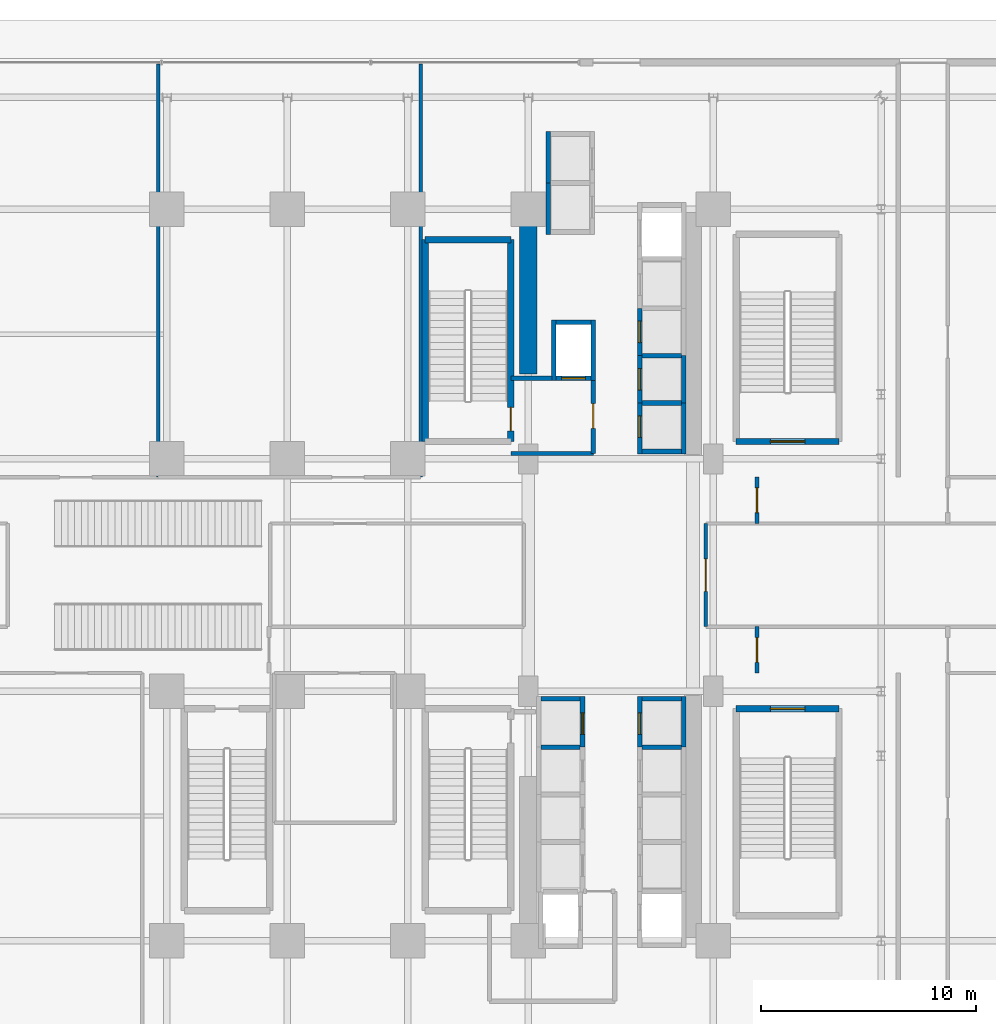
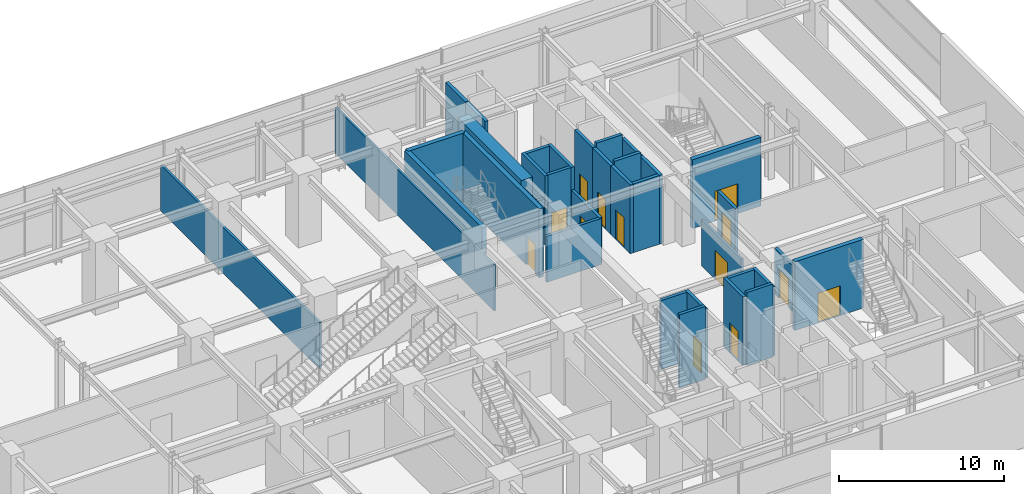
# One storey, part 24 of 29: 35 walls, 13 doors, 13 openings.
"""IFC4 building model written with IfcOpenShell, lengths in metres."""

from ifc_helpers import new_model, si_unit, direction, frame, frame_2d, origin, place, context, subcontext, project, spatial, rectangle, extrude, source, transform, mapped, material, layer, layer_set, type_object, element, fill, save


model = new_model("IFC4")

# Units and contexts
model_context = context("Model", 3, precision=1e-05, world=origin(), true_north=direction((0.0, 1.0)))
body_context = subcontext(model_context, "Body", "Model", "MODEL_VIEW")
ifc_project = project(units=[si_unit("LENGTHUNIT", "METRE"), si_unit("AREAUNIT", "SQUARE_METRE"), si_unit("VOLUMEUNIT", "CUBIC_METRE"), si_unit("PLANEANGLEUNIT", "RADIAN"), si_unit("MASSUNIT", "GRAM", prefix="KILO")], contexts=[model_context])

# Site, building, storey
site_placement = place(None, origin())
site = spatial("IfcSite", under=ifc_project, at=site_placement, CompositionType="ELEMENT")
building_placement = place(site_placement, origin())
building = spatial("IfcBuilding", under=site, at=building_placement, Name="Nahalor Promenade Grand Hotel", CompositionType="ELEMENT")
storey_placement = place(building_placement, origin())
storey = spatial("IfcBuildingStorey", under=building, at=storey_placement, Name="L00", CompositionType="ELEMENT", Elevation=0.0)

# Walls
ifc_material_1 = material(Name="Concrete B-70 (C60/75)", Category="concrete")
ifc_layer_1 = layer(ifc_material_1, 0.800048828125)
ifc_layer_set_1 = layer_set([ifc_layer_1], Name="Concrete B-70 (C60/75)")
wall_type_1 = type_object("IfcWallType", Name="Wall-CoreShear-800", PredefinedType="SHEAR", material=ifc_layer_set_1)
shared_shape_1 = source(origin(), body_context, "Body", "SweptSolid", [
    extrude(rectangle(XDim=7.64990234375, YDim=0.800048828125, at=frame_2d((3.824951171875, 0.0))), origin(), (0.0, 0.0, 1.0), 5.080078125),
])
wall_1_placement = place(storey_placement, frame((8.39990234375, 9.35009765625, 0.0), z_axis=(0.0, 0.0, 1.0), x_axis=(0.0, 1.0, 0.0)))
element("IfcWall", 1, at=wall_1_placement, inside=storey, type_object=wall_type_1, Name="CWALL-L00-NW", PredefinedType="SHEAR", context=body_context, shape_type="MappedRepresentation", body=[
    mapped(shared_shape_1, transform((0.0, 0.0, 0.0), scale=1.0)),
])
ifc_material_2 = material(Name="Concrete B-50 (C40/50)", Category="concrete")
ifc_layer_2 = layer(ifc_material_2, 0.300048828125)
ifc_layer_set_2 = layer_set([ifc_layer_2], Name="Concrete B-50 (C40/50)")
wall_type_2 = type_object("IfcWallType", Name="Wall-ShaftShear-300", PredefinedType="SHEAR", material=ifc_layer_set_2)
shared_shape_2 = source(origin(), body_context, "Body", "SweptSolid", [
    extrude(rectangle(XDim=3.97998046875, YDim=0.300048828125, at=frame_2d((1.989990234375, 0.0))), origin(), (0.0, 0.0, 1.0), 5.080078125),
])
wall_2_placement = place(storey_placement, frame((3.610107421875, 15.590087890625, 0.0), z_axis=(0.0, 0.0, 1.0), x_axis=(1.0, 0.0, 0.0)))
element("IfcWall", 2, at=wall_2_placement, inside=storey, type_object=wall_type_2, Name="L00 Exit Stair ST1 Shaft Wall N", PredefinedType="SHEAR", context=body_context, shape_type="MappedRepresentation", body=[
    mapped(shared_shape_2, transform((0.0, 0.0, 0.0), scale=1.0)),
])
shared_shape_3 = source(origin(), body_context, "Body", "SweptSolid", [
    extrude(rectangle(XDim=9.380126953125, YDim=0.300048828125, at=frame_2d((4.68994140625, 0.0))), origin(), (0.0, 0.0, 1.0), 5.080078125),
])
wall_3_placement = place(storey_placement, frame((3.610107421875, 6.2099609375, 0.0), z_axis=(0.0, 0.0, 1.0), x_axis=(0.0, 1.0, 0.0)))
element("IfcWall", 3, at=wall_3_placement, inside=storey, type_object=wall_type_2, Name="L00 Exit Stair ST1 Shaft Wall W", PredefinedType="SHEAR", context=body_context, shape_type="MappedRepresentation", body=[
    mapped(shared_shape_3, transform((0.0, 0.0, 0.0), scale=1.0)),
])

# Wall, opening, door
wall_4_placement = place(storey_placement, frame((7.590087890625, 6.2099609375, 0.0), z_axis=(0.0, 0.0, 1.0), x_axis=(0.0, 1.0, 0.0)))
wall_4 = element("IfcWall", 4, at=wall_4_placement, inside=storey, type_object=wall_type_2, Name="L00 Exit Stair ST1 Shaft Wall E", PredefinedType="SHEAR", context=body_context, shape_type="MappedRepresentation", body=[
    mapped(shared_shape_3, transform((0.0, 0.0, 0.0), scale=1.0)),
])
opening_1_placement = place(wall_4_placement, frame((0.489990234375, 0.0, 0.0)))
opening_1 = element("IfcOpeningElement", 5, at=opening_1_placement, cuts=wall_4, Name="Opening D-ST1", PredefinedType="OPENING", context=body_context, shape_type="SweptSolid", body=[
    extrude(rectangle(XDim=1.10009765625, YDim=2.14990234375, at=frame_2d((0.550048828125, 1.074951171875))), frame((0.0, 0.159912109375, 0.0), z_axis=(0.0, -1.0, 0.0), x_axis=(1.0, 0.0, 0.0)), (0.0, 0.0, 1.0), 0.320068359375),
])
ifc_material_3 = material(Name="Steel S355JR", Category="steel")
door_type_1 = type_object("IfcDoorType", Name="Door-StairFire-1100", OperationType="NOTDEFINED", PredefinedType="DOOR", material=ifc_material_3)
shared_shape_4 = source(origin(), body_context, "Body", "SweptSolid", [
    extrude(rectangle(XDim=1.10009765625, YDim=2.14990234375, at=frame_2d((0.550048828125, 1.074951171875))), frame((0.0, 0.02490234375, 0.0), z_axis=(0.0, -1.0, 0.0), x_axis=(1.0, 0.0, 0.0)), (0.0, 0.0, 1.0), 0.050048828125),
])
door_1_placement = place(opening_1_placement, frame((1.10009765625, 0.0, 0.0), z_axis=(0.0, 0.0, 1.0), x_axis=(-1.0, 0.0, 0.0)))
door_1 = element("IfcDoor", 6, at=door_1_placement, inside=storey, type_object=door_type_1, Name="DR-STAIR-ST1-L00", OperationType="SINGLE_SWING_LEFT", OverallHeight=2.14990234375, OverallWidth=1.10009765625, PredefinedType="DOOR", context=body_context, shape_type="MappedRepresentation", body=[
    mapped(shared_shape_4, transform((0.0, 0.0, 0.0), scale=1.0)),
])
fill(opening_1, door_1)

shared_shape_5 = source(origin(), body_context, "Body", "SweptSolid", [
    extrude(rectangle(XDim=4.780029296875, YDim=0.300048828125, at=frame_2d((2.39013671875, 0.0))), origin(), (0.0, 0.0, 1.0), 5.080078125),
])
wall_5_placement = place(storey_placement, frame((18.06005859375, 6.2099609375, 0.0), z_axis=(0.0, 0.0, 1.0), x_axis=(1.0, 0.0, 0.0)))
wall_5 = element("IfcWall", 7, at=wall_5_placement, inside=storey, type_object=wall_type_2, Name="L00 Exit Stair ST4 Shaft Wall S", PredefinedType="SHEAR", context=body_context, shape_type="MappedRepresentation", body=[
    mapped(shared_shape_5, transform((0.0, 0.0, 0.0), scale=1.0)),
])
opening_2_placement = place(wall_5_placement, frame((1.590087890625, 0.0, 0.0)))
opening_2 = element("IfcOpeningElement", 8, at=opening_2_placement, cuts=wall_5, Name="Opening D-ST2", PredefinedType="OPENING", context=body_context, shape_type="SweptSolid", body=[
    extrude(rectangle(XDim=1.60009765625, YDim=2.199951171875, at=frame_2d((0.800048828125, 1.10009765625))), frame((0.0, 0.159912109375, 0.0), z_axis=(0.0, -1.0, 0.0), x_axis=(1.0, 0.0, 0.0)), (0.0, 0.0, 1.0), 0.320068359375),
])
door_type_2 = type_object("IfcDoorType", Name="Door-StairGrand-1600", OperationType="DOUBLE_DOOR_SINGLE_SWING", PredefinedType="DOOR", material=ifc_material_3)
shared_shape_6 = source(origin(), body_context, "Body", "SweptSolid", [
    extrude(rectangle(XDim=1.60009765625, YDim=2.199951171875, at=frame_2d((0.800048828125, 1.10009765625))), frame((0.0, 0.02490234375, 0.0), z_axis=(0.0, -1.0, 0.0), x_axis=(1.0, 0.0, 0.0)), (0.0, 0.0, 1.0), 0.050048828125),
])
door_2_placement = place(opening_2_placement, frame((1.60009765625, 0.0, 0.0), z_axis=(0.0, 0.0, 1.0), x_axis=(-1.0, 0.0, 0.0)))
door_2 = element("IfcDoor", 9, at=door_2_placement, inside=storey, type_object=door_type_2, Name="DR-STAIR-ST4-L00", OperationType="DOUBLE_DOOR_SINGLE_SWING", OverallHeight=2.199951171875, OverallWidth=1.60009765625, PredefinedType="DOOR", context=body_context, shape_type="MappedRepresentation", body=[
    mapped(shared_shape_6, transform((0.0, 0.0, 0.0), scale=1.0)),
])
fill(opening_2, door_2)

wall_6_placement = place(storey_placement, frame((18.06005859375, -6.2099609375, 0.0), z_axis=(0.0, 0.0, 1.0), x_axis=(1.0, 0.0, 0.0)))
wall_6 = element("IfcWall", 10, at=wall_6_placement, inside=storey, type_object=wall_type_2, Name="L00 Exit Stair ST5 Shaft Wall N", PredefinedType="SHEAR", context=body_context, shape_type="MappedRepresentation", body=[
    mapped(shared_shape_5, transform((0.0, 0.0, 0.0), scale=1.0)),
])
opening_3_placement = place(wall_6_placement, frame((1.590087890625, 0.0, 0.0)))
opening_3 = element("IfcOpeningElement", 11, at=opening_3_placement, cuts=wall_6, Name="Opening D-ST2", PredefinedType="OPENING", context=body_context, shape_type="SweptSolid", body=[
    extrude(rectangle(XDim=1.60009765625, YDim=2.199951171875, at=frame_2d((0.800048828125, 1.10009765625))), frame((0.0, 0.159912109375, 0.0), z_axis=(0.0, -1.0, 0.0), x_axis=(1.0, 0.0, 0.0)), (0.0, 0.0, 1.0), 0.320068359375),
])
door_3_placement = place(opening_3_placement, origin())
door_3 = element("IfcDoor", 12, at=door_3_placement, inside=storey, type_object=door_type_2, Name="DR-STAIR-ST5-L00", OperationType="DOUBLE_DOOR_SINGLE_SWING", OverallHeight=2.199951171875, OverallWidth=1.60009765625, PredefinedType="DOOR", context=body_context, shape_type="MappedRepresentation", body=[
    mapped(shared_shape_6, transform((0.0, 0.0, 0.0), scale=1.0)),
])
fill(opening_3, door_3)

ifc_layer_3 = layer(ifc_material_2, 0.219970703125)
ifc_layer_set_3 = layer_set([ifc_layer_3], Name="Concrete B-50 (C40/50)")
wall_type_3 = type_object("IfcWallType", Name="Wall-LiftShaft-220", PredefinedType="SHEAR", material=ifc_layer_set_3)
shared_shape_7 = source(origin(), body_context, "Body", "SweptSolid", [
    extrude(rectangle(XDim=2.360107421875, YDim=0.219970703125, at=frame_2d((1.18017578125, 0.0))), origin(), (0.0, 0.0, 1.0), 5.080078125),
])
wall_7_placement = place(storey_placement, frame((13.580078125, 5.639892578125, 0.0), z_axis=(0.0, 0.0, 1.0), x_axis=(0.0, 1.0, 0.0)))
wall_7 = element("IfcWall", 13, at=wall_7_placement, inside=storey, type_object=wall_type_3, Name="L00 Lift PL1 Hoistway Wall W", PredefinedType="SHEAR", context=body_context, shape_type="MappedRepresentation", body=[
    mapped(shared_shape_7, transform((0.0, 0.0, 0.0), scale=1.0)),
])
opening_4_placement = place(wall_7_placement, frame((0.760009765625, 0.0, 0.0)))
opening_4 = element("IfcOpeningElement", 14, at=opening_4_placement, cuts=wall_7, Name="Opening LD-01", PredefinedType="OPENING", context=body_context, shape_type="SweptSolid", body=[
    extrude(rectangle(XDim=1.0, YDim=2.199951171875, at=frame_2d((0.5, 1.10009765625))), frame((0.0, 0.119873046875, 0.0), z_axis=(0.0, -1.0, 0.0), x_axis=(1.0, 0.0, 0.0)), (0.0, 0.0, 1.0), 0.239990234375),
])
door_type_3 = type_object("IfcDoorType", Name="Door-LiftLanding-1000", OperationType="DOUBLE_DOOR_SLIDING", PredefinedType="DOOR", material=ifc_material_3)
shared_shape_8 = source(origin(), body_context, "Body", "SweptSolid", [
    extrude(rectangle(XDim=1.0, YDim=2.199951171875, at=frame_2d((0.5, 1.10009765625))), frame((0.0, 0.02490234375, 0.0), z_axis=(0.0, -1.0, 0.0), x_axis=(1.0, 0.0, 0.0)), (0.0, 0.0, 1.0), 0.050048828125),
])
door_4_placement = place(opening_4_placement, origin())
door_4 = element("IfcDoor", 15, at=door_4_placement, inside=storey, type_object=door_type_3, Name="DR-LIFT-PL1-L00", OperationType="DOUBLE_DOOR_SLIDING", OverallHeight=2.199951171875, OverallWidth=1.0, PredefinedType="DOOR", context=body_context, shape_type="MappedRepresentation", body=[
    mapped(shared_shape_8, transform((0.0, 0.0, 0.0), scale=1.0)),
])
fill(opening_4, door_4)

# Wall
wall_8_placement = place(storey_placement, frame((15.6201171875, 5.639892578125, 0.0), z_axis=(0.0, 0.0, 1.0), x_axis=(0.0, 1.0, 0.0)))
element("IfcWall", 16, at=wall_8_placement, inside=storey, type_object=wall_type_3, Name="L00 Lift PL1 Hoistway Wall E", PredefinedType="SHEAR", context=body_context, shape_type="MappedRepresentation", body=[
    mapped(shared_shape_7, transform((0.0, 0.0, 0.0), scale=1.0)),
])

# Wall, opening, door
wall_9_placement = place(storey_placement, frame((13.580078125, -8.0, 0.0), z_axis=(0.0, 0.0, 1.0), x_axis=(0.0, 1.0, 0.0)))
wall_9 = element("IfcWall", 17, at=wall_9_placement, inside=storey, type_object=wall_type_3, Name="L00 Lift PL5 Hoistway Wall W", PredefinedType="SHEAR", context=body_context, shape_type="MappedRepresentation", body=[
    mapped(shared_shape_7, transform((0.0, 0.0, 0.0), scale=1.0)),
])
opening_5_placement = place(wall_9_placement, frame((0.60009765625, 0.0, 0.0)))
opening_5 = element("IfcOpeningElement", 18, at=opening_5_placement, cuts=wall_9, Name="Opening LD-01", PredefinedType="OPENING", context=body_context, shape_type="SweptSolid", body=[
    extrude(rectangle(XDim=1.0, YDim=2.199951171875, at=frame_2d((0.5, 1.10009765625))), frame((0.0, 0.119873046875, 0.0), z_axis=(0.0, -1.0, 0.0), x_axis=(1.0, 0.0, 0.0)), (0.0, 0.0, 1.0), 0.239990234375),
])
door_5_placement = place(opening_5_placement, origin())
door_5 = element("IfcDoor", 19, at=door_5_placement, inside=storey, type_object=door_type_3, Name="DR-LIFT-PL5-L00", OperationType="DOUBLE_DOOR_SLIDING", OverallHeight=2.199951171875, OverallWidth=1.0, PredefinedType="DOOR", context=body_context, shape_type="MappedRepresentation", body=[
    mapped(shared_shape_8, transform((0.0, 0.0, 0.0), scale=1.0)),
])
fill(opening_5, door_5)

# Wall
wall_10_placement = place(storey_placement, frame((15.6201171875, -8.0, 0.0), z_axis=(0.0, 0.0, 1.0), x_axis=(0.0, 1.0, 0.0)))
element("IfcWall", 20, at=wall_10_placement, inside=storey, type_object=wall_type_3, Name="L00 Lift PL5 Hoistway Wall E", PredefinedType="SHEAR", context=body_context, shape_type="MappedRepresentation", body=[
    mapped(shared_shape_7, transform((0.0, 0.0, 0.0), scale=1.0)),
])

# Wall, opening, door
wall_11_placement = place(storey_placement, frame((10.919921875, -8.0, 0.0), z_axis=(0.0, 0.0, 1.0), x_axis=(0.0, 1.0, 0.0)))
wall_11 = element("IfcWall", 21, at=wall_11_placement, inside=storey, type_object=wall_type_3, Name="L00 Lift PL9 Hoistway Wall E", PredefinedType="SHEAR", context=body_context, shape_type="MappedRepresentation", body=[
    mapped(shared_shape_7, transform((0.0, 0.0, 0.0), scale=1.0)),
])
opening_6_placement = place(wall_11_placement, frame((0.60009765625, 0.0, 0.0)))
opening_6 = element("IfcOpeningElement", 22, at=opening_6_placement, cuts=wall_11, Name="Opening LD-01", PredefinedType="OPENING", context=body_context, shape_type="SweptSolid", body=[
    extrude(rectangle(XDim=1.0, YDim=2.199951171875, at=frame_2d((0.5, 1.10009765625))), frame((0.0, 0.119873046875, 0.0), z_axis=(0.0, -1.0, 0.0), x_axis=(1.0, 0.0, 0.0)), (0.0, 0.0, 1.0), 0.239990234375),
])
door_6_placement = place(opening_6_placement, frame((1.0, 0.0, 0.0), z_axis=(0.0, 0.0, 1.0), x_axis=(-1.0, 0.0, 0.0)))
door_6 = element("IfcDoor", 23, at=door_6_placement, inside=storey, type_object=door_type_3, Name="DR-LIFT-PL9-L00", OperationType="DOUBLE_DOOR_SLIDING", OverallHeight=2.199951171875, OverallWidth=1.0, PredefinedType="DOOR", context=body_context, shape_type="MappedRepresentation", body=[
    mapped(shared_shape_8, transform((0.0, 0.0, 0.0), scale=1.0)),
])
fill(opening_6, door_6)

# Walls
shared_shape_9 = source(origin(), body_context, "Body", "SweptSolid", [
    extrude(rectangle(XDim=1.820068359375, YDim=0.219970703125, at=frame_2d((0.91015625, 0.0))), origin(), (0.0, 0.0, 1.0), 5.080078125),
])
for number, where, z_axis, x_axis, name in (
    (24, (13.68994140625, 5.75, 0.0), (0.0, 0.0, 1.0), (1.0, 0.0, 0.0), "L00 Lift PL1 Hoistway Wall S"),
    (25, (13.68994140625, -5.75, 0.0), (0.0, 0.0, 1.0), (1.0, 0.0, 0.0), "L00 Lift PL5 Hoistway Wall N"),
    (26, (8.989990234375, -5.75, 0.0), (0.0, 0.0, 1.0), (1.0, 0.0, 0.0), "L00 Lift PL9 Hoistway Wall N"),
):
    element("IfcWall", number, at=place(storey_placement, frame(where, z_axis=z_axis, x_axis=x_axis)), inside=storey, type_object=wall_type_3, Name=name, PredefinedType="SHEAR", context=body_context, shape_type="MappedRepresentation", body=[
        mapped(shared_shape_9, transform((0.0, 0.0, 0.0), scale=1.0)),
    ])
shared_shape_10 = source(origin(), body_context, "Body", "SweptSolid", [
    extrude(rectangle(XDim=1.820068359375, YDim=0.219970703125, at=frame_2d((0.91015625, 0.0))), origin(), (0.0, 0.0, 1.0), 5.39990234375),
])
for number, where, z_axis, x_axis, name in (
    (27, (13.68994140625, 8.0, 0.0), (0.0, 0.0, 1.0), (1.0, 0.0, 0.0), "L00 Lift PL1 Hoistway Wall N"),
    (28, (13.68994140625, 10.199951171875, 0.0), (0.0, 0.0, 1.0), (1.0, 0.0, 0.0), "L00 Lift PL2 Hoistway Wall N"),
    (29, (13.68994140625, -8.0, 0.0), (0.0, 0.0, 1.0), (1.0, 0.0, 0.0), "L00 Lift PL6 Hoistway Wall N"),
    (30, (8.989990234375, -8.0, 0.0), (0.0, 0.0, 1.0), (1.0, 0.0, 0.0), "L00 Lift PL10 Hoistway Wall N"),
):
    element("IfcWall", number, at=place(storey_placement, frame(where, z_axis=z_axis, x_axis=x_axis)), inside=storey, type_object=wall_type_3, Name=name, PredefinedType="SHEAR", context=body_context, shape_type="MappedRepresentation", body=[
        mapped(shared_shape_10, transform((0.0, 0.0, 0.0), scale=1.0)),
    ])

# Wall, opening, door
shared_shape_11 = source(origin(), body_context, "Body", "SweptSolid", [
    extrude(rectangle(XDim=2.199951171875, YDim=0.219970703125, at=frame_2d((1.10009765625, 0.0))), origin(), (0.0, 0.0, 1.0), 5.080078125),
])
wall_12_placement = place(storey_placement, frame((13.580078125, 8.0, 0.0), z_axis=(0.0, 0.0, 1.0), x_axis=(0.0, 1.0, 0.0)))
wall_12 = element("IfcWall", 31, at=wall_12_placement, inside=storey, type_object=wall_type_3, Name="L00 Lift PL2 Hoistway Wall W", PredefinedType="SHEAR", context=body_context, shape_type="MappedRepresentation", body=[
    mapped(shared_shape_11, transform((0.0, 0.0, 0.0), scale=1.0)),
])
opening_7_placement = place(wall_12_placement, frame((0.60009765625, 0.0, 0.0)))
opening_7 = element("IfcOpeningElement", 32, at=opening_7_placement, cuts=wall_12, Name="Opening LD-01", PredefinedType="OPENING", context=body_context, shape_type="SweptSolid", body=[
    extrude(rectangle(XDim=1.0, YDim=2.199951171875, at=frame_2d((0.5, 1.10009765625))), frame((0.0, 0.119873046875, 0.0), z_axis=(0.0, -1.0, 0.0), x_axis=(1.0, 0.0, 0.0)), (0.0, 0.0, 1.0), 0.239990234375),
])
door_7_placement = place(opening_7_placement, origin())
door_7 = element("IfcDoor", 33, at=door_7_placement, inside=storey, type_object=door_type_3, Name="DR-LIFT-PL2-L00", OperationType="DOUBLE_DOOR_SLIDING", OverallHeight=2.199951171875, OverallWidth=1.0, PredefinedType="DOOR", context=body_context, shape_type="MappedRepresentation", body=[
    mapped(shared_shape_8, transform((0.0, 0.0, 0.0), scale=1.0)),
])
fill(opening_7, door_7)

# Wall
wall_13_placement = place(storey_placement, frame((15.6201171875, 8.0, 0.0), z_axis=(0.0, 0.0, 1.0), x_axis=(0.0, 1.0, 0.0)))
element("IfcWall", 34, at=wall_13_placement, inside=storey, type_object=wall_type_3, Name="L00 Lift PL2 Hoistway Wall E", PredefinedType="SHEAR", context=body_context, shape_type="MappedRepresentation", body=[
    mapped(shared_shape_11, transform((0.0, 0.0, 0.0), scale=1.0)),
])

# Wall, opening, door
wall_14_placement = place(storey_placement, frame((13.580078125, 10.199951171875, 0.0), z_axis=(0.0, 0.0, 1.0), x_axis=(0.0, 1.0, 0.0)))
wall_14 = element("IfcWall", 35, at=wall_14_placement, inside=storey, type_object=wall_type_3, Name="L00 Lift PL3 Hoistway Wall W", PredefinedType="SHEAR", context=body_context, shape_type="MappedRepresentation", body=[
    mapped(shared_shape_11, transform((0.0, 0.0, 0.0), scale=1.0)),
])
opening_8_placement = place(wall_14_placement, frame((0.60009765625, 0.0, 0.0)))
opening_8 = element("IfcOpeningElement", 36, at=opening_8_placement, cuts=wall_14, Name="Opening LD-01", PredefinedType="OPENING", context=body_context, shape_type="SweptSolid", body=[
    extrude(rectangle(XDim=1.0, YDim=2.199951171875, at=frame_2d((0.5, 1.10009765625))), frame((0.0, 0.119873046875, 0.0), z_axis=(0.0, -1.0, 0.0), x_axis=(1.0, 0.0, 0.0)), (0.0, 0.0, 1.0), 0.239990234375),
])
door_8_placement = place(opening_8_placement, origin())
door_8 = element("IfcDoor", 37, at=door_8_placement, inside=storey, type_object=door_type_3, Name="DR-LIFT-PL3-L00", OperationType="DOUBLE_DOOR_SLIDING", OverallHeight=2.199951171875, OverallWidth=1.0, PredefinedType="DOOR", context=body_context, shape_type="MappedRepresentation", body=[
    mapped(shared_shape_8, transform((0.0, 0.0, 0.0), scale=1.0)),
])
fill(opening_8, door_8)

# Walls
shared_shape_12 = source(origin(), body_context, "Body", "SweptSolid", [
    extrude(rectangle(XDim=2.385009765625, YDim=0.219970703125, at=frame_2d((1.1923828125, 0.0))), origin(), (0.0, 0.0, 1.0), 5.080078125),
])
for number, where, z_axis, x_axis, name in (
    (38, (9.330078125, 15.840087890625, 0.0), (0.0, 0.0, 1.0), (0.0, 1.0, 0.0), "L00 Lift OB1 Hoistway Wall W"),
    (39, (9.330078125, 18.22509765625, 0.0), (0.0, 0.0, 1.0), (0.0, 1.0, 0.0), "L00 Lift OB2 Hoistway Wall W"),
):
    element("IfcWall", number, at=place(storey_placement, frame(where, z_axis=z_axis, x_axis=x_axis)), inside=storey, type_object=wall_type_3, Name=name, PredefinedType="SHEAR", context=body_context, shape_type="MappedRepresentation", body=[
        mapped(shared_shape_12, transform((0.0, 0.0, 0.0), scale=1.0)),
    ])
shared_shape_13 = source(origin(), body_context, "Body", "SweptSolid", [
    extrude(rectangle(XDim=2.820068359375, YDim=0.219970703125, at=frame_2d((1.41015625, 0.0))), origin(), (0.0, 0.0, 1.0), 5.080078125),
])
for number, where, z_axis, x_axis, name in (
    (40, (9.580078125, 9.0400390625, 0.0), (0.0, 0.0, 1.0), (0.0, 1.0, 0.0), "L00 Lift FL1 Hoistway Wall W"),
    (41, (11.419921875, 9.0400390625, 0.0), (0.0, 0.0, 1.0), (0.0, 1.0, 0.0), "L00 Lift FL1 Hoistway Wall E"),
):
    element("IfcWall", number, at=place(storey_placement, frame(where, z_axis=z_axis, x_axis=x_axis)), inside=storey, type_object=wall_type_3, Name=name, PredefinedType="SHEAR", context=body_context, shape_type="MappedRepresentation", body=[
        mapped(shared_shape_13, transform((0.0, 0.0, 0.0), scale=1.0)),
    ])

# Wall, opening, door
shared_shape_14 = source(origin(), body_context, "Body", "SweptSolid", [
    extrude(rectangle(XDim=1.6201171875, YDim=0.219970703125, at=frame_2d((0.81005859375, 0.0))), origin(), (0.0, 0.0, 1.0), 5.080078125),
])
wall_15_placement = place(storey_placement, frame((9.68994140625, 9.14990234375, 0.0), z_axis=(0.0, 0.0, 1.0), x_axis=(1.0, 0.0, 0.0)))
wall_15 = element("IfcWall", 42, at=wall_15_placement, inside=storey, type_object=wall_type_3, Name="L00 Lift FL1 Hoistway Wall S", PredefinedType="SHEAR", context=body_context, shape_type="MappedRepresentation", body=[
    mapped(shared_shape_14, transform((0.0, 0.0, 0.0), scale=1.0)),
])
opening_9_placement = place(wall_15_placement, frame((0.260009765625, 0.0, 0.0)))
opening_9 = element("IfcOpeningElement", 43, at=opening_9_placement, cuts=wall_15, Name="Opening LD-02", PredefinedType="OPENING", context=body_context, shape_type="SweptSolid", body=[
    extrude(rectangle(XDim=1.10009765625, YDim=2.199951171875, at=frame_2d((0.550048828125, 1.10009765625))), frame((0.0, 0.119873046875, 0.0), z_axis=(0.0, -1.0, 0.0), x_axis=(1.0, 0.0, 0.0)), (0.0, 0.0, 1.0), 0.239990234375),
])
door_type_4 = type_object("IfcDoorType", Name="Door-LiftFF-1100", OperationType="DOUBLE_DOOR_SLIDING", PredefinedType="DOOR", material=ifc_material_3)
shared_shape_15 = source(origin(), body_context, "Body", "SweptSolid", [
    extrude(rectangle(XDim=1.10009765625, YDim=2.199951171875, at=frame_2d((0.550048828125, 1.10009765625))), frame((0.0, 0.02490234375, 0.0), z_axis=(0.0, -1.0, 0.0), x_axis=(1.0, 0.0, 0.0)), (0.0, 0.0, 1.0), 0.050048828125),
])
door_9_placement = place(opening_9_placement, frame((1.10009765625, 0.0, 0.0), z_axis=(0.0, 0.0, 1.0), x_axis=(-1.0, 0.0, 0.0)))
door_9 = element("IfcDoor", 44, at=door_9_placement, inside=storey, type_object=door_type_4, Name="DR-LIFT-FL1-L00", OperationType="DOUBLE_DOOR_SLIDING", OverallHeight=2.199951171875, OverallWidth=1.10009765625, PredefinedType="DOOR", context=body_context, shape_type="MappedRepresentation", body=[
    mapped(shared_shape_15, transform((0.0, 0.0, 0.0), scale=1.0)),
])
fill(opening_9, door_9)

# Walls
wall_16_placement = place(storey_placement, frame((9.68994140625, 11.75, 0.0), z_axis=(0.0, 0.0, 1.0), x_axis=(1.0, 0.0, 0.0)))
element("IfcWall", 45, at=wall_16_placement, inside=storey, type_object=wall_type_3, Name="L00 Lift FL1 Hoistway Wall N", PredefinedType="SHEAR", context=body_context, shape_type="MappedRepresentation", body=[
    mapped(shared_shape_14, transform((0.0, 0.0, 0.0), scale=1.0)),
])
ifc_material_4 = material(Name="Concrete B-40 (C32/40)", Category="concrete")
ifc_layer_4 = layer(ifc_material_4, 0.199951171875)
ifc_layer_set_4 = layer_set([ifc_layer_4], Name="Concrete B-40 (C32/40)")
wall_type_4 = type_object("IfcWallType", Name="Wall-PartFire-200", PredefinedType="PARTITIONING", material=ifc_layer_set_4)
shared_shape_16 = source(origin(), body_context, "Body", "SweptSolid", [
    extrude(rectangle(XDim=3.81982421875, YDim=0.199951171875, at=frame_2d((1.909912109375, 0.0))), origin(), (0.0, 0.0, 1.0), 3.39990234375),
])
wall_17_placement = place(storey_placement, frame((7.60009765625, 5.64990234375, 0.0), z_axis=(0.0, 0.0, 1.0), x_axis=(1.0, 0.0, 0.0)))
element("IfcWall", 46, at=wall_17_placement, inside=storey, type_object=wall_type_4, Name="W-L00-FF1-S", PredefinedType="PARTITIONING", context=body_context, shape_type="MappedRepresentation", body=[
    mapped(shared_shape_16, transform((0.0, 0.0, 0.0), scale=1.0)),
])
shared_shape_17 = source(origin(), body_context, "Body", "SweptSolid", [
    extrude(rectangle(XDim=1.89990234375, YDim=0.199951171875, at=frame_2d((0.949951171875, 0.0))), origin(), (0.0, 0.0, 1.0), 3.39990234375),
])
wall_18_placement = place(storey_placement, frame((7.60009765625, 9.14990234375, 0.0), z_axis=(0.0, 0.0, 1.0), x_axis=(1.0, 0.0, 0.0)))
element("IfcWall", 47, at=wall_18_placement, inside=storey, type_object=wall_type_4, Name="W-L00-FF1-N", PredefinedType="PARTITIONING", context=body_context, shape_type="MappedRepresentation", body=[
    mapped(shared_shape_17, transform((0.0, 0.0, 0.0), scale=1.0)),
])

# Wall, opening, door
shared_shape_18 = source(origin(), body_context, "Body", "SweptSolid", [
    extrude(rectangle(XDim=3.5, YDim=0.199951171875, at=frame_2d((1.75, 0.0))), origin(), (0.0, 0.0, 1.0), 3.39990234375),
])
wall_19_placement = place(storey_placement, frame((11.419921875, 5.64990234375, 0.0), z_axis=(0.0, 0.0, 1.0), x_axis=(0.0, 1.0, 0.0)))
wall_19 = element("IfcWall", 48, at=wall_19_placement, inside=storey, type_object=wall_type_4, Name="W-L00-FF1-E", PredefinedType="PARTITIONING", context=body_context, shape_type="MappedRepresentation", body=[
    mapped(shared_shape_18, transform((0.0, 0.0, 0.0), scale=1.0)),
])
opening_10_placement = place(wall_19_placement, frame((1.175048828125, 0.0, 0.0)))
opening_10 = element("IfcOpeningElement", 49, at=opening_10_placement, cuts=wall_19, Name="Opening D-FF1", PredefinedType="OPENING", context=body_context, shape_type="SweptSolid", body=[
    extrude(rectangle(XDim=1.14990234375, YDim=2.14990234375, at=frame_2d((0.574951171875, 1.074951171875))), frame((0.0, 0.10986328125, 0.0), z_axis=(0.0, -1.0, 0.0), x_axis=(1.0, 0.0, 0.0)), (0.0, 0.0, 1.0), 0.219970703125),
])
door_type_5 = type_object("IfcDoorType", Name="Door-FFLobby-1150", OperationType="NOTDEFINED", PredefinedType="DOOR", material=ifc_material_3)
shared_shape_19 = source(origin(), body_context, "Body", "SweptSolid", [
    extrude(rectangle(XDim=1.14990234375, YDim=2.14990234375, at=frame_2d((0.574951171875, 1.074951171875))), frame((0.0, 0.02490234375, 0.0), z_axis=(0.0, -1.0, 0.0), x_axis=(1.0, 0.0, 0.0)), (0.0, 0.0, 1.0), 0.050048828125),
])
door_10_placement = place(opening_10_placement, frame((1.14990234375, 0.0, 0.0), z_axis=(0.0, 0.0, 1.0), x_axis=(-1.0, 0.0, 0.0)))
door_10 = element("IfcDoor", 50, at=door_10_placement, inside=storey, type_object=door_type_5, Name="DR-L00-FFL1", OperationType="SINGLE_SWING_RIGHT", OverallHeight=2.14990234375, OverallWidth=1.14990234375, PredefinedType="DOOR", context=body_context, shape_type="MappedRepresentation", body=[
    mapped(shared_shape_19, transform((0.0, 0.0, 0.0), scale=1.0)),
])
fill(opening_10, door_10)

shared_shape_20 = source(origin(), body_context, "Body", "SweptSolid", [
    extrude(rectangle(XDim=2.150146484375, YDim=0.199951171875, at=frame_2d((1.0751953125, 0.0))), origin(), (0.0, 0.0, 1.0), 3.39990234375),
])
wall_20_placement = place(storey_placement, frame((19.030029296875, 2.39990234375, 0.0), z_axis=(0.0, 0.0, 1.0), x_axis=(0.0, 1.0, 0.0)))
wall_20 = element("IfcWall", 51, at=wall_20_placement, inside=storey, type_object=wall_type_4, Name="W-L00-EXST4-W", PredefinedType="PARTITIONING", context=body_context, shape_type="MappedRepresentation", body=[
    mapped(shared_shape_20, transform((0.0, 0.0, 0.0), scale=1.0)),
])
opening_11_placement = place(wall_20_placement, frame((0.5048828125, 0.0, 0.0)))
opening_11 = element("IfcOpeningElement", 52, at=opening_11_placement, cuts=wall_20, Name="Opening D-FF1", PredefinedType="OPENING", context=body_context, shape_type="SweptSolid", body=[
    extrude(rectangle(XDim=1.14990234375, YDim=2.14990234375, at=frame_2d((0.574951171875, 1.074951171875))), frame((0.0, 0.10986328125, 0.0), z_axis=(0.0, -1.0, 0.0), x_axis=(1.0, 0.0, 0.0)), (0.0, 0.0, 1.0), 0.219970703125),
])
door_11_placement = place(opening_11_placement, frame((1.14990234375, 0.0, 0.0), z_axis=(0.0, 0.0, 1.0), x_axis=(-1.0, 0.0, 0.0)))
door_11 = element("IfcDoor", 53, at=door_11_placement, inside=storey, type_object=door_type_5, Name="DR-L00-EXST4-IN", OperationType="SINGLE_SWING_LEFT", OverallHeight=2.14990234375, OverallWidth=1.14990234375, PredefinedType="DOOR", context=body_context, shape_type="MappedRepresentation", body=[
    mapped(shared_shape_19, transform((0.0, 0.0, 0.0), scale=1.0)),
])
fill(opening_11, door_11)

wall_21_placement = place(storey_placement, frame((19.030029296875, -4.550048828125, 0.0), z_axis=(0.0, 0.0, 1.0), x_axis=(0.0, 1.0, 0.0)))
wall_21 = element("IfcWall", 54, at=wall_21_placement, inside=storey, type_object=wall_type_4, Name="W-L00-EXST5-W", PredefinedType="PARTITIONING", context=body_context, shape_type="MappedRepresentation", body=[
    mapped(shared_shape_20, transform((0.0, 0.0, 0.0), scale=1.0)),
])
opening_12_placement = place(wall_21_placement, frame((0.4951171875, 0.0, 0.0)))
opening_12 = element("IfcOpeningElement", 55, at=opening_12_placement, cuts=wall_21, Name="Opening D-FF1", PredefinedType="OPENING", context=body_context, shape_type="SweptSolid", body=[
    extrude(rectangle(XDim=1.14990234375, YDim=2.14990234375, at=frame_2d((0.574951171875, 1.074951171875))), frame((0.0, 0.10986328125, 0.0), z_axis=(0.0, -1.0, 0.0), x_axis=(1.0, 0.0, 0.0)), (0.0, 0.0, 1.0), 0.219970703125),
])
door_12_placement = place(opening_12_placement, frame((1.14990234375, 0.0, 0.0), z_axis=(0.0, 0.0, 1.0), x_axis=(-1.0, 0.0, 0.0)))
door_12 = element("IfcDoor", 56, at=door_12_placement, inside=storey, type_object=door_type_5, Name="DR-L00-EXST5-IN", OperationType="SINGLE_SWING_LEFT", OverallHeight=2.14990234375, OverallWidth=1.14990234375, PredefinedType="DOOR", context=body_context, shape_type="MappedRepresentation", body=[
    mapped(shared_shape_19, transform((0.0, 0.0, 0.0), scale=1.0)),
])
fill(opening_12, door_12)

ifc_material_5 = material(Name="Acoustic Mineral Gypsum", Category="gypsum")
ifc_layer_5 = layer(ifc_material_5, 0.159912109375)
ifc_layer_set_5 = layer_set([ifc_layer_5], Name="Acoustic Mineral Gypsum")
wall_type_5 = type_object("IfcWallType", Name="Wall-PartCorridor-160", PredefinedType="PARTITIONING", material=ifc_layer_set_5)
shared_shape_21 = source(origin(), body_context, "Body", "SweptSolid", [
    extrude(rectangle(XDim=4.7998046875, YDim=0.159912109375, at=frame_2d((2.39990234375, 0.0))), origin(), (0.0, 0.0, 1.0), 3.39990234375),
])
wall_22_placement = place(storey_placement, frame((16.64990234375, -2.39990234375, 0.0), z_axis=(0.0, 0.0, 1.0), x_axis=(0.0, 1.0, 0.0)))
wall_22 = element("IfcWall", 57, at=wall_22_placement, inside=storey, type_object=wall_type_5, Name="W-L00-PR03-W", PredefinedType="PARTITIONING", context=body_context, shape_type="MappedRepresentation", body=[
    mapped(shared_shape_21, transform((0.0, 0.0, 0.0), scale=1.0)),
])
opening_13_placement = place(wall_22_placement, frame((1.64990234375, 0.0, 0.0)))
opening_13 = element("IfcOpeningElement", 58, at=opening_13_placement, cuts=wall_22, Name="Opening D-02", PredefinedType="OPENING", context=body_context, shape_type="SweptSolid", body=[
    extrude(rectangle(XDim=1.5, YDim=2.14990234375, at=frame_2d((0.75, 1.074951171875))), frame((0.0, 0.08984375, 0.0), z_axis=(0.0, -1.0, 0.0), x_axis=(1.0, 0.0, 0.0)), (0.0, 0.0, 1.0), 0.179931640625),
])
ifc_material_6 = material(Name="Fire-Rated Timber Composite", Category="wood")
door_type_6 = type_object("IfcDoorType", Name="Door-SuiteDouble-1500", OperationType="DOUBLE_DOOR_SINGLE_SWING", PredefinedType="DOOR", material=ifc_material_6)
shared_shape_22 = source(origin(), body_context, "Body", "SweptSolid", [
    extrude(rectangle(XDim=1.5, YDim=2.14990234375, at=frame_2d((0.75, 1.074951171875))), frame((0.0, 0.02490234375, 0.0), z_axis=(0.0, -1.0, 0.0), x_axis=(1.0, 0.0, 0.0)), (0.0, 0.0, 1.0), 0.050048828125),
])
door_13_placement = place(opening_13_placement, frame((1.5, 0.0, 0.0), z_axis=(0.0, 0.0, 1.0), x_axis=(-1.0, 0.0, 0.0)))
door_13 = element("IfcDoor", 59, at=door_13_placement, inside=storey, type_object=door_type_6, Name="DR-L00-PR03", OperationType="DOUBLE_DOOR_SINGLE_SWING", OverallHeight=2.14990234375, OverallWidth=1.5, PredefinedType="DOOR", context=body_context, shape_type="MappedRepresentation", body=[
    mapped(shared_shape_22, transform((0.0, 0.0, 0.0), scale=1.0)),
])
fill(opening_13, door_13)

# Walls
shared_shape_23 = source(origin(), body_context, "Body", "SweptSolid", [
    extrude(rectangle(XDim=19.2099609375, YDim=0.159912109375, at=frame_2d((9.60498046875, 0.0))), origin(), (0.0, 0.0, 1.0), 3.39990234375),
])
for number, where, z_axis, x_axis, name in (
    (60, (-8.800048828125, 4.550048828125, 0.0), (0.0, 0.0, 1.0), (0.0, 1.0, 0.0), "W-L00-PR04-E"),
    (61, (3.39990234375, 4.550048828125, 0.0), (0.0, 0.0, 1.0), (0.0, 1.0, 0.0), "W-L00-PR05-E"),
):
    element("IfcWall", number, at=place(storey_placement, frame(where, z_axis=z_axis, x_axis=x_axis)), inside=storey, type_object=wall_type_5, Name=name, PredefinedType="PARTITIONING", context=body_context, shape_type="MappedRepresentation", body=[
        mapped(shared_shape_23, transform((0.0, 0.0, 0.0), scale=1.0)),
    ])

save(model, "model.ifc")
